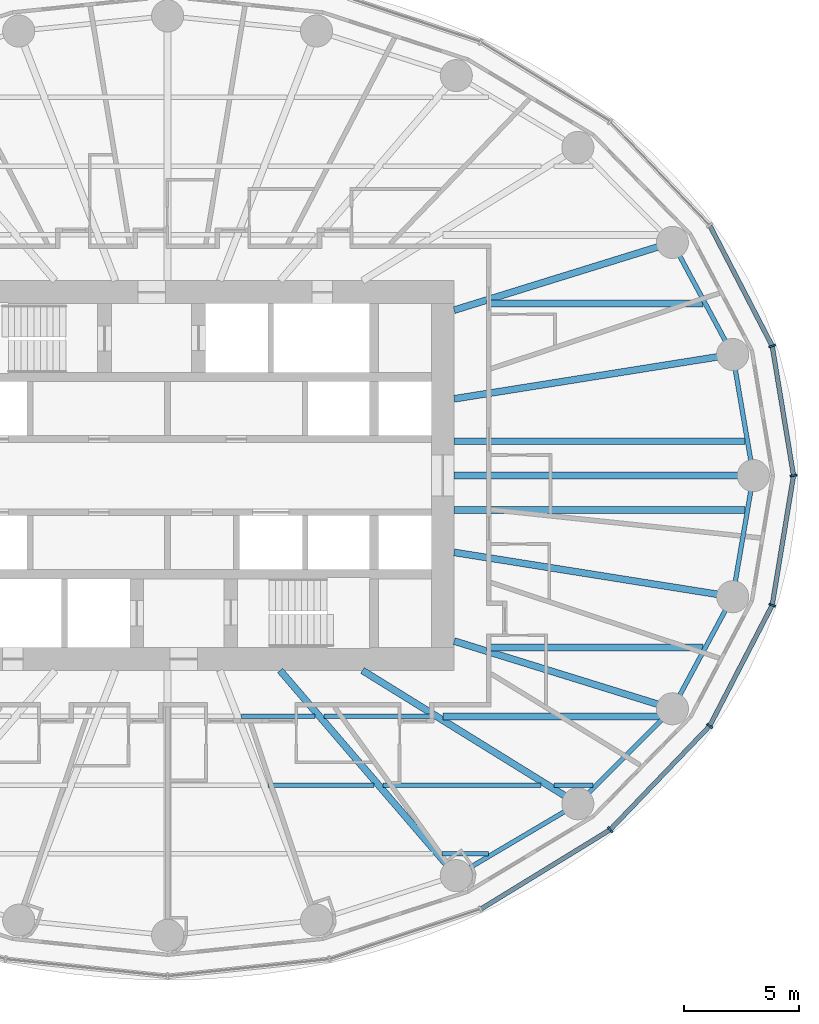
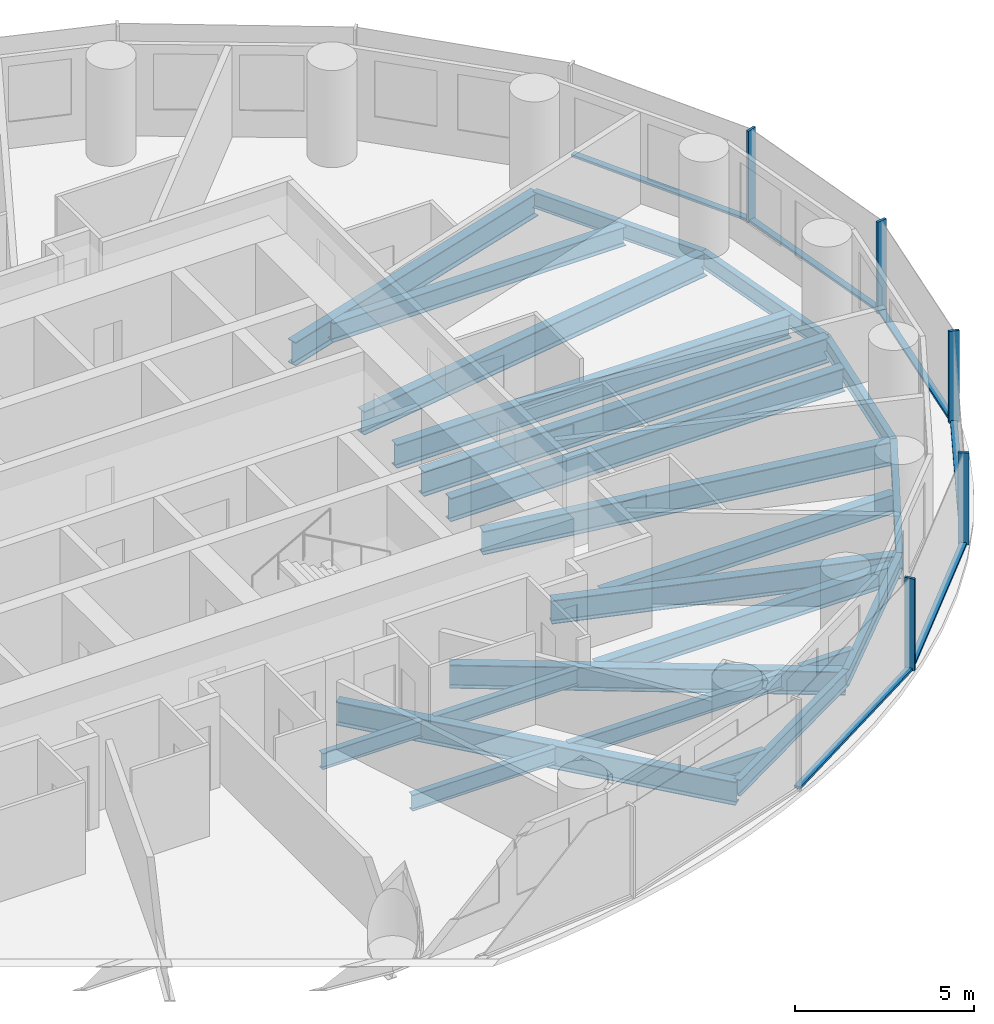
# One storey, part 3 of 14: 24 beams, 11 members, 2 elements without a shape of their own.
"""IFC4 building model written with IfcOpenShell, lengths in metres."""

import ifcopenshell
import ifcopenshell.guid

model = None  # the IFC model being written
_history = None  # IfcOwnerHistory: only IFC2X3 demands one
_inside = {}  # id of a spatial element -> (the spatial element, [elements in it])
_under = {}  # id of a project, library or spatial element -> (it, [spatial elements below it])
_declared = {}  # id of a project -> (the project, [libraries it declares])
_typed = {}  # id of a type object -> (the type object, [elements of that type])
_made_of = {}  # id of a material, layer set ... -> (it, [elements and type objects made of it])


def new_model(schema):
    """Start an empty IFC model of exactly this schema.

    Asked for "IFC4X3", IfcOpenShell would pick the latest addendum, in which some entities
    have other attributes; the version numbers below select the first issue.
    IFC2X3 requires an IfcOwnerHistory on every rooted entity: one is made here for all.
    """
    global model, _history
    if schema == "IFC4X3":
        model = ifcopenshell.file(schema_version=(4, 3, 0, 0))
    else:
        model = ifcopenshell.file(schema=schema)
    _inside.clear()
    _under.clear()
    _declared.clear()
    _typed.clear()
    _made_of.clear()
    _history = None
    if model.schema == "IFC2X3":
        org = make("IfcOrganization", Name="unknown")
        user = make(
            "IfcPersonAndOrganization",
            ThePerson=make("IfcPerson", FamilyName="unknown"),
            TheOrganization=org,
        )
        app = make(
            "IfcApplication",
            ApplicationDeveloper=org,
            Version="unknown",
            ApplicationFullName="unknown",
            ApplicationIdentifier="unknown",
        )
        _history = make(
            "IfcOwnerHistory",
            OwningUser=user,
            OwningApplication=app,
            ChangeAction="ADDED",
            CreationDate=0,
        )
    return model


def make(cls, **values):
    """One entity of the class cls with the attributes given. An attribute that is None is left unset."""
    return model.create_entity(
        cls, **{name: value for name, value in values.items() if value is not None}
    )


def rooted(cls, **values):
    """An entity with a GlobalId (a new one), such as an element, a storey or a relation."""
    return make(cls, GlobalId=ifcopenshell.guid.new(), OwnerHistory=_history, **values)


def si_unit(unit_type, name, prefix=None):
    """IfcSIUnit, for example si_unit("LENGTHUNIT", "METRE", prefix="MILLI")."""
    return make("IfcSIUnit", UnitType=unit_type, Prefix=prefix, Name=name)


def assignment(units):
    """IfcUnitAssignment: the units of a project."""
    return None if units is None else make("IfcUnitAssignment", Units=units)


def point(xyz):
    """IfcCartesianPoint."""
    return None if xyz is None else make("IfcCartesianPoint", Coordinates=xyz)


def direction(xyz):
    """IfcDirection."""
    return None if xyz is None else make("IfcDirection", DirectionRatios=xyz)


def frame(location, z_axis=None, x_axis=None):
    """IfcAxis2Placement3D, a coordinate frame: its origin and axes. An axis left out is left unset."""
    return make(
        "IfcAxis2Placement3D",
        Location=point(location),
        Axis=direction(z_axis),
        RefDirection=direction(x_axis),
    )


def frame_2d(location, x_axis=None):
    """IfcAxis2Placement2D, a coordinate frame in the plane: its origin and x axis."""
    return make(
        "IfcAxis2Placement2D", Location=point(location), RefDirection=direction(x_axis)
    )


def origin():
    """The frame at (0, 0, 0) with its axes left unset."""
    return frame((0.0, 0.0, 0.0))


def origin_2d():
    """The frame at (0, 0) in the plane with its x axis left unset."""
    return frame_2d((0.0, 0.0))


def place(relative_to, where):
    """IfcLocalPlacement: puts the frame where relative to a parent placement (None: the world)."""
    return make(
        "IfcLocalPlacement", PlacementRelTo=relative_to, RelativePlacement=where
    )


def context(
    kind, dimensions, precision=None, world=None, true_north=None, identifier=None
):
    """IfcGeometricRepresentationContext, for example the 3D "Model" context."""
    return make(
        "IfcGeometricRepresentationContext",
        ContextIdentifier=identifier,
        ContextType=kind,
        CoordinateSpaceDimension=dimensions,
        Precision=precision,
        WorldCoordinateSystem=world,
        TrueNorth=true_north,
    )


def subcontext(parent, identifier, kind, view, scale=None):
    """IfcGeometricRepresentationSubContext, for example "Body" below "Model"."""
    return make(
        "IfcGeometricRepresentationSubContext",
        ContextIdentifier=identifier,
        ContextType=kind,
        ParentContext=parent,
        TargetScale=scale,
        TargetView=view,
    )


def project(units=None, contexts=None):
    """IfcProject with its units and contexts."""
    return rooted(
        "IfcProject",
        Name="project",
        RepresentationContexts=contexts,
        UnitsInContext=assignment(units),
    )


def spatial(cls, under=None, at=None, **own):
    """A site, building, storey or space (cls), placed at a placement, below another one or the project."""
    s = rooted(cls, ObjectPlacement=at, **own)
    if under is not None:
        _under.setdefault(under.id(), (under, []))[1].append(s)
    return s


def profile(cls, at=None, kind="AREA", **sizes):
    """A parametric profile (cls). Its sizes go by their IFC names, for example OverallWidth=200.0."""
    return make(cls, ProfileType=kind, Position=at, **sizes)


def rectangle(**sizes):
    """IfcRectangleProfileDef."""
    return profile("IfcRectangleProfileDef", **sizes)


def i_section(**sizes):
    """IfcIShapeProfileDef."""
    return profile("IfcIShapeProfileDef", **sizes)


def extrude(swept, where, along, depth):
    """IfcExtrudedAreaSolid: the profile swept, set in the frame where, extruded along a direction by depth."""
    return make(
        "IfcExtrudedAreaSolid",
        SweptArea=swept,
        Position=where,
        ExtrudedDirection=direction(along),
        Depth=depth,
    )


def shape(context_of_items, identifier, shape_type, items):
    """IfcShapeRepresentation: the items that make up one representation, for example the "Body"."""
    return make(
        "IfcShapeRepresentation",
        ContextOfItems=context_of_items,
        RepresentationIdentifier=identifier,
        RepresentationType=shape_type,
        Items=items,
    )


def material(Name=None, Category=None):
    """IfcMaterial."""
    return make("IfcMaterial", Name=Name, Category=Category)


def material_profile(
    of_material, cross_section, Name=None, Category=None, Priority=None
):
    """IfcMaterialProfile: a cross section and its material."""
    return make(
        "IfcMaterialProfile",
        Name=Name,
        Material=of_material,
        Profile=cross_section,
        Priority=Priority,
        Category=Category,
    )


def profile_set(profiles, Name=None, composite=None):
    """IfcMaterialProfileSet."""
    return make(
        "IfcMaterialProfileSet",
        Name=Name,
        MaterialProfiles=profiles,
        CompositeProfile=composite,
    )


def made_of(thing, what):
    """Note that an element or type object is made of a material, layer set ...; save() writes the relation."""
    if what is not None:
        _made_of.setdefault(what.id(), (what, []))[1].append(thing)
    return thing


def type_object(cls, material=None, **own):
    """A type object (cls), such as IfcWallType, which elements share."""
    return made_of(rooted(cls, **own), material)


def element(
    cls,
    number,
    at=None,
    inside=None,
    cuts=None,
    type_object=None,
    material=None,
    context=None,
    identifier="Body",
    shape_type=None,
    held_by="IfcProductDefinitionShape",
    body=None,
    shapes=None,
    **own,
):
    """One element of the class cls, such as IfcWall. Its Tag is "e" and its number.

    at: its placement. inside: the storey or other place that contains it. cuts: it is an
    opening in that element (IfcRelVoidsElement). A single representation is given by context,
    identifier, shape_type and body (its items); several are given by shapes. held_by: the class
    of the entity that holds the representations. save() writes the other relations.
    """
    e = rooted(cls, Tag="e%d" % number, ObjectPlacement=at, **own)
    if body is not None:
        shapes = [shape(context, identifier, shape_type, body)]
    if shapes is not None:
        e.Representation = make(held_by, Representations=shapes)
    if inside is not None:
        _inside.setdefault(inside.id(), (inside, []))[1].append(e)
    if cuts is not None:
        rooted(
            "IfcRelVoidsElement", RelatingBuildingElement=cuts, RelatedOpeningElement=e
        )
    if type_object is not None:
        _typed.setdefault(type_object.id(), (type_object, []))[1].append(e)
    return made_of(e, material)


def aggregate(whole, parts):
    """IfcRelAggregates: a whole, such as a stair, and the parts it consists of."""
    return rooted("IfcRelAggregates", RelatingObject=whole, RelatedObjects=parts)


def save(model, path):
    """Write the relations noted so far, then the file.

    IfcRelAggregates (storeys below a building ...), IfcRelContainedInSpatialStructure (elements
    in a storey), IfcRelDefinesByType, IfcRelAssociatesMaterial and IfcRelDeclares: one each for
    every whole, place, type object, material and project.
    """
    for whole, parts in _under.values():
        aggregate(whole, parts)
    for where, things in _inside.values():
        rooted(
            "IfcRelContainedInSpatialStructure",
            RelatedElements=things,
            RelatingStructure=where,
        )
    for kind, things in _typed.values():
        rooted("IfcRelDefinesByType", RelatedObjects=things, RelatingType=kind)
    for what, things in _made_of.values():
        rooted("IfcRelAssociatesMaterial", RelatedObjects=things, RelatingMaterial=what)
    for by, libraries in _declared.values():
        rooted("IfcRelDeclares", RelatingContext=by, RelatedDefinitions=libraries)
    model.write(path)


model = new_model("IFC4")

# Units and contexts
model_context = context("Model", 3, precision=1e-05, world=origin(), true_north=direction((0.0, 1.0)))
body_context = subcontext(model_context, "Body", "Model", "MODEL_VIEW")
ifc_project = project(units=[si_unit("LENGTHUNIT", "METRE"), si_unit("AREAUNIT", "SQUARE_METRE"), si_unit("VOLUMEUNIT", "CUBIC_METRE"), si_unit("PLANEANGLEUNIT", "RADIAN"), si_unit("MASSUNIT", "GRAM", prefix="KILO")], contexts=[model_context])

# Site, building, storey
site_placement = place(None, origin())
site = spatial("IfcSite", under=ifc_project, at=site_placement, CompositionType="ELEMENT")
building_placement = place(site_placement, origin())
building = spatial("IfcBuilding", under=site, at=building_placement, Name="Hankou Lantern Tower", CompositionType="ELEMENT")
storey_placement = place(building_placement, frame((0.0, 0.0, 57.300048828125)))
storey = spatial("IfcBuildingStorey", under=building, at=storey_placement, Name="L13", CompositionType="ELEMENT", Elevation=57.300048828125)

# Beams
ifc_material_1 = material(Name="Steel Q355B", Category="steel")
ifc_material_profile_1 = material_profile(ifc_material_1, i_section(OverallWidth=0.199951171875, OverallDepth=0.550048828125, WebThickness=0.010009765625, FlangeThickness=0.01611328125, FilletRadius=0.012939453125, at=origin_2d()), Name="HN550x200x10x16")
ifc_profile_set_1 = profile_set([ifc_material_profile_1], Name="Steel Q355B")
beam_type_1 = type_object("IfcBeamType", Name="EB6 RING BEAM HN550x200x10x16", PredefinedType="SPANDREL", material=ifc_profile_set_1)
beam_1_placement = place(storey_placement, frame((25.550048828125, 0.0, -0.455078125), z_axis=(-0.168489691988, 0.985703415685, 0.0), x_axis=(-0.985703415685, -0.168489691988, 0.0)))
element("IfcBeam", 1, at=beam_1_placement, inside=storey, type_object=beam_type_1, Name="Ring beam R01-R02 L13", PredefinedType="SPANDREL", context=body_context, shape_type="SweptSolid", body=[
    extrude(i_section(OverallWidth=0.199951171875, OverallDepth=0.550048828125, WebThickness=0.010009765625, FlangeThickness=0.01611328125, FilletRadius=0.012939453125, at=origin_2d()), origin(), (0.0, 0.0, 1.0), 5.35986328125),
])
beam_2_placement = place(storey_placement, frame((24.64697265625, 5.283203125, -0.455078125), z_axis=(-0.473609096023, 0.880735161194, 0.0), x_axis=(-0.880735161194, -0.473609096023, 0.0)))
element("IfcBeam", 2, at=beam_2_placement, inside=storey, type_object=beam_type_1, Name="Ring beam R02-R03 L13", PredefinedType="SPANDREL", context=body_context, shape_type="SweptSolid", body=[
    extrude(i_section(OverallWidth=0.199951171875, OverallDepth=0.550048828125, WebThickness=0.010009765625, FlangeThickness=0.01611328125, FilletRadius=0.012939453125, at=origin_2d()), origin(), (0.0, 0.0, 1.0), 5.548828125),
])
beam_3_placement = place(storey_placement, frame((12.5908203125, -17.446533203125, -0.455078125), z_axis=(0.860881533543, 0.508805449268, 0.0), x_axis=(-0.508805449268, 0.860881533543, 0.0)))
element("IfcBeam", 3, at=beam_3_placement, inside=storey, type_object=beam_type_1, Name="Ring beam R21-R22 L13", PredefinedType="SPANDREL", context=body_context, shape_type="SweptSolid", body=[
    extrude(i_section(OverallWidth=0.199951171875, OverallDepth=0.550048828125, WebThickness=0.010009765625, FlangeThickness=0.01611328125, FilletRadius=0.012939453125, at=origin_2d()), origin(), (0.0, 0.0, 1.0), 6.15771484375),
])
beam_4_placement = place(storey_placement, frame((17.891845703125, -14.3134765625, -0.455078125), z_axis=(0.705727798394, 0.708483079949, 0.0), x_axis=(-0.708483079949, 0.705727798394, 0.0)))
element("IfcBeam", 4, at=beam_4_placement, inside=storey, type_object=beam_type_1, Name="Ring beam R22-R23 L13", PredefinedType="SPANDREL", context=body_context, shape_type="SweptSolid", body=[
    extrude(i_section(OverallWidth=0.199951171875, OverallDepth=0.550048828125, WebThickness=0.010009765625, FlangeThickness=0.01611328125, FilletRadius=0.012939453125, at=origin_2d()), origin(), (0.0, 0.0, 1.0), 5.84814453125),
])
beam_5_placement = place(storey_placement, frame((22.01904296875, -10.170166015625, -0.455078125), z_axis=(0.473609096023, 0.880735161194, 0.0), x_axis=(-0.880735161194, 0.473609096023, 0.0)))
element("IfcBeam", 5, at=beam_5_placement, inside=storey, type_object=beam_type_1, Name="Ring beam R23-R24 L13", PredefinedType="SPANDREL", context=body_context, shape_type="SweptSolid", body=[
    extrude(i_section(OverallWidth=0.199951171875, OverallDepth=0.550048828125, WebThickness=0.010009765625, FlangeThickness=0.01611328125, FilletRadius=0.012939453125, at=origin_2d()), origin(), (0.0, 0.0, 1.0), 5.548828125),
])
beam_6_placement = place(storey_placement, frame((24.64697265625, -5.283203125, -0.455078125), z_axis=(0.168489691988, 0.985703415685, 0.0), x_axis=(-0.985703415685, 0.168489691988, 0.0)))
element("IfcBeam", 6, at=beam_6_placement, inside=storey, type_object=beam_type_1, Name="Ring beam R24-R01 L13", PredefinedType="SPANDREL", context=body_context, shape_type="SweptSolid", body=[
    extrude(i_section(OverallWidth=0.199951171875, OverallDepth=0.550048828125, WebThickness=0.010009765625, FlangeThickness=0.01611328125, FilletRadius=0.012939453125, at=origin_2d()), origin(), (0.0, 0.0, 1.0), 5.35986328125),
])

# Curtain wall, members
ifc_material_2 = material(Name="Glass, dark grey tinted laminated", Category="glass")
curtain_wall_type = type_object("IfcCurtainWallType", Name="CWA OUTER SKIN LOW-RISE", PredefinedType="USERDEFINED", material=ifc_material_2)
curtain_wall_1_placement = place(storey_placement, origin())
curtain_wall_1 = element("IfcCurtainWall", 7, at=curtain_wall_1_placement, inside=storey, type_object=curtain_wall_type, Name="CWA L13 OS1", ObjectType="OUTER SKIN LOW-RISE", PredefinedType="USERDEFINED")
ifc_material_3 = material(Name="Aluminium, black anodised", Category="aluminium")
ifc_material_profile_2 = material_profile(ifc_material_3, rectangle(XDim=0.080078125, YDim=0.300048828125, at=origin_2d()), Name="MU1 80X300")
ifc_profile_set_2 = profile_set([ifc_material_profile_2], Name="Aluminium, black anodised")
member_type_1 = type_object("IfcMemberType", Name="MU1 OUTER SKIN MULLION 80X300", PredefinedType="MULLION", material=ifc_profile_set_2)
member_1_placement = place(storey_placement, frame((27.300048828125, 0.0, 0.0), z_axis=(0.0, 0.0, 1.0), x_axis=(-0.162381515188, 0.986728049427, 0.0)))
member_1 = element("IfcMember", 8, at=member_1_placement, type_object=member_type_1, Name="CWA mullion 1", PredefinedType="MULLION", context=body_context, shape_type="SweptSolid", body=[
    extrude(rectangle(XDim=0.080078125, YDim=0.300048828125, at=origin_2d()), origin(), (0.0, 0.0, 1.0), 3.119873046875),
])
member_2_placement = place(storey_placement, frame((26.369873046875, 5.652587890625, 0.0), z_axis=(0.0, 0.0, 1.0), x_axis=(-0.317595577365, 0.94822626479, 0.0)))
member_2 = element("IfcMember", 9, at=member_2_placement, type_object=member_type_1, Name="CWA mullion 2", PredefinedType="MULLION", context=body_context, shape_type="SweptSolid", body=[
    extrude(rectangle(XDim=0.080078125, YDim=0.300048828125, at=origin_2d()), origin(), (0.0, 0.0, 1.0), 3.119873046875),
])

curtain_wall_2_placement = place(storey_placement, origin())
curtain_wall_2 = element("IfcCurtainWall", 10, at=curtain_wall_2_placement, inside=storey, type_object=curtain_wall_type, Name="CWA L13 OS4", ObjectType="OUTER SKIN LOW-RISE", PredefinedType="USERDEFINED")
member_3_placement = place(storey_placement, frame((19.303955078125, -15.443115234375, 0.0), z_axis=(0.0, 0.0, 1.0), x_axis=(0.780868809444, 0.624695047553, 0.0)))
member_3 = element("IfcMember", 11, at=member_3_placement, type_object=member_type_1, Name="CWA mullion 4", PredefinedType="MULLION", context=body_context, shape_type="SweptSolid", body=[
    extrude(rectangle(XDim=0.080078125, YDim=0.300048828125, at=origin_2d()), origin(), (0.0, 0.0, 1.0), 3.119873046875),
])
member_4_placement = place(storey_placement, frame((23.642578125, -10.919921875, 0.0), z_axis=(0.0, 0.0, 1.0), x_axis=(0.585205735974, 0.810884854084, 0.0)))
member_4 = element("IfcMember", 12, at=member_4_placement, type_object=member_type_1, Name="CWA mullion 5", PredefinedType="MULLION", context=body_context, shape_type="SweptSolid", body=[
    extrude(rectangle(XDim=0.080078125, YDim=0.300048828125, at=origin_2d()), origin(), (0.0, 0.0, 1.0), 3.119873046875),
])
member_5_placement = place(storey_placement, frame((26.369873046875, -5.652587890625, 0.0), z_axis=(0.0, 0.0, 1.0), x_axis=(0.317595577365, 0.94822626479, 0.0)))
member_5 = element("IfcMember", 13, at=member_5_placement, type_object=member_type_1, Name="CWA mullion 6", PredefinedType="MULLION", context=body_context, shape_type="SweptSolid", body=[
    extrude(rectangle(XDim=0.080078125, YDim=0.300048828125, at=origin_2d()), origin(), (0.0, 0.0, 1.0), 3.119873046875),
])

# Beams
ifc_material_4 = material(Name="Steel Q355B", Category="steel")
ifc_material_profile_3 = material_profile(ifc_material_4, i_section(OverallWidth=0.300048828125, OverallDepth=0.800048828125, WebThickness=0.013916015625, FlangeThickness=0.02587890625, FilletRadius=0.01806640625, at=origin_2d()), Name="HN800x300x14x26")
ifc_profile_set_3 = profile_set([ifc_material_profile_3], Name="Steel Q355B")
beam_type_2 = type_object("IfcBeamType", Name="RB11 RADIAL BEAM HN800x300x14x26", PredefinedType="BEAM", material=ifc_profile_set_3)
beam_7_placement = place(storey_placement, frame((12.5, 3.349365234375, -0.580078125), z_axis=(0.987563081343, 0.157223281893, 0.0), x_axis=(-0.157223281893, 0.987563081343, 0.0)))
element("IfcBeam", 14, at=beam_7_placement, inside=storey, type_object=beam_type_2, Name="Radial beam R02 L13", PredefinedType="BEAM", context=body_context, shape_type="SweptSolid", body=[
    extrude(i_section(OverallWidth=0.300048828125, OverallDepth=0.800048828125, WebThickness=0.013916015625, FlangeThickness=0.02587890625, FilletRadius=0.01806640625, at=origin_2d()), origin(), (0.0, 0.0, 1.0), 12.300048828125),
])
beam_8_placement = place(storey_placement, frame((12.5, 7.216796875, -0.580078125), z_axis=(0.955087327755, 0.29632447817, 0.0), x_axis=(-0.29632447817, 0.955087327755, 0.0)))
element("IfcBeam", 15, at=beam_8_placement, inside=storey, type_object=beam_type_2, Name="Radial beam R03 L13", PredefinedType="BEAM", context=body_context, shape_type="SweptSolid", body=[
    extrude(i_section(OverallWidth=0.300048828125, OverallDepth=0.800048828125, WebThickness=0.013916015625, FlangeThickness=0.02587890625, FilletRadius=0.01806640625, at=origin_2d()), origin(), (0.0, 0.0, 1.0), 9.966552734375),
])
beam_9_placement = place(storey_placement, frame((4.907470703125, -8.5, -0.580078125), z_axis=(0.651519061225, -0.758632264579, 0.0), x_axis=(0.758632264579, 0.651519061225, 0.0)))
element("IfcBeam", 16, at=beam_9_placement, inside=storey, type_object=beam_type_2, Name="Radial beam R21 L13", PredefinedType="BEAM", context=body_context, shape_type="SweptSolid", body=[
    extrude(i_section(OverallWidth=0.300048828125, OverallDepth=0.800048828125, WebThickness=0.013916015625, FlangeThickness=0.02587890625, FilletRadius=0.01806640625, at=origin_2d()), origin(), (0.0, 0.0, 1.0), 11.79296875),
])
beam_10_placement = place(storey_placement, frame((8.5, -8.5, -0.580078125), z_axis=(0.850286343288, -0.526320372414, 0.0), x_axis=(0.526320372414, 0.850286343288, 0.0)))
element("IfcBeam", 17, at=beam_10_placement, inside=storey, type_object=beam_type_2, Name="Radial beam R22 L13", PredefinedType="BEAM", context=body_context, shape_type="SweptSolid", body=[
    extrude(i_section(OverallWidth=0.300048828125, OverallDepth=0.800048828125, WebThickness=0.013916015625, FlangeThickness=0.02587890625, FilletRadius=0.01806640625, at=origin_2d()), origin(), (0.0, 0.0, 1.0), 11.04541015625),
])
beam_11_placement = place(storey_placement, frame((12.5, -7.216796875, -0.580078125), z_axis=(0.955087327755, -0.29632447817, 0.0), x_axis=(0.29632447817, 0.955087327755, 0.0)))
element("IfcBeam", 18, at=beam_11_placement, inside=storey, type_object=beam_type_2, Name="Radial beam R23 L13", PredefinedType="BEAM", context=body_context, shape_type="SweptSolid", body=[
    extrude(i_section(OverallWidth=0.300048828125, OverallDepth=0.800048828125, WebThickness=0.013916015625, FlangeThickness=0.02587890625, FilletRadius=0.01806640625, at=origin_2d()), origin(), (0.0, 0.0, 1.0), 9.966552734375),
])
beam_12_placement = place(storey_placement, frame((12.5, -3.349365234375, -0.580078125), z_axis=(0.987563081343, -0.157223281893, 0.0), x_axis=(0.157223281893, 0.987563081343, 0.0)))
element("IfcBeam", 19, at=beam_12_placement, inside=storey, type_object=beam_type_2, Name="Radial beam R24 L13", PredefinedType="BEAM", context=body_context, shape_type="SweptSolid", body=[
    extrude(i_section(OverallWidth=0.300048828125, OverallDepth=0.800048828125, WebThickness=0.013916015625, FlangeThickness=0.02587890625, FilletRadius=0.01806640625, at=origin_2d()), origin(), (0.0, 0.0, 1.0), 12.300048828125),
])
ifc_material_5 = material(Name="Steel Q355B", Category="steel")
ifc_material_profile_4 = material_profile(ifc_material_5, i_section(OverallWidth=0.300048828125, OverallDepth=0.85009765625, WebThickness=0.01611328125, FlangeThickness=0.027099609375, FilletRadius=0.01806640625, at=origin_2d()), Name="HN850x300x16x27")
ifc_profile_set_4 = profile_set([ifc_material_profile_4], Name="Steel Q355B")
beam_type_3 = type_object("IfcBeamType", Name="RB12 RADIAL BEAM HN850x300x16x27", PredefinedType="BEAM", material=ifc_profile_set_4)
beam_13_placement = place(storey_placement, frame((12.5, 0.0, -0.60498046875), z_axis=(1.0, 0.0, 0.0), x_axis=(0.0, 1.0, 0.0)))
element("IfcBeam", 20, at=beam_13_placement, inside=storey, type_object=beam_type_3, Name="Radial beam R01 L13", PredefinedType="BEAM", context=body_context, shape_type="SweptSolid", body=[
    extrude(i_section(OverallWidth=0.300048828125, OverallDepth=0.85009765625, WebThickness=0.01611328125, FlangeThickness=0.027099609375, FilletRadius=0.01806640625, at=origin_2d()), origin(), (0.0, 0.0, 1.0), 13.050048828125),
])
ifc_material_6 = material(Name="Steel Q355B", Category="steel")
ifc_material_profile_5 = material_profile(ifc_material_6, i_section(OverallWidth=0.300048828125, OverallDepth=0.800048828125, WebThickness=0.013916015625, FlangeThickness=0.02587890625, FilletRadius=0.01806640625, at=origin_2d()), Name="HN800x300x14x26")
ifc_profile_set_5 = profile_set([ifc_material_profile_5], Name="Steel Q355B")
beam_type_4 = type_object("IfcBeamType", Name="SB11 SECONDARY BEAM HN800x300x14x26", PredefinedType="JOIST", material=ifc_profile_set_5)
for number, where, z_axis, x_axis, name in (
    (21, (12.5, -1.5, -0.580078125), (1.0, 0.0, 0.0), (0.0, 1.0, 0.0), "Floor joist J030 L13"),
    (22, (12.5, 1.5, -0.580078125), (1.0, 0.0, 0.0), (0.0, 1.0, 0.0), "Floor joist J032 L13"),
):
    element("IfcBeam", number, at=place(storey_placement, frame(where, z_axis=z_axis, x_axis=x_axis)), inside=storey, type_object=beam_type_4, Name=name, PredefinedType="JOIST", context=body_context, shape_type="SweptSolid", body=[
        extrude(i_section(OverallWidth=0.300048828125, OverallDepth=0.800048828125, WebThickness=0.013916015625, FlangeThickness=0.02587890625, FilletRadius=0.01806640625, at=origin_2d()), origin(), (0.0, 0.0, 1.0), 12.692138671875),
    ])
ifc_material_7 = material(Name="Steel Q355B", Category="steel")
ifc_material_profile_6 = material_profile(ifc_material_7, i_section(OverallWidth=0.199951171875, OverallDepth=0.550048828125, WebThickness=0.010009765625, FlangeThickness=0.01611328125, FilletRadius=0.012939453125, at=origin_2d()), Name="HN550x200x10x16")
ifc_profile_set_6 = profile_set([ifc_material_profile_6], Name="Steel Q355B")
beam_type_5 = type_object("IfcBeamType", Name="SB6 SECONDARY BEAM HN550x200x10x16", PredefinedType="JOIST", material=ifc_profile_set_6)
beam_14_placement = place(storey_placement, frame((11.975830078125, -16.5, -0.455078125), z_axis=(1.0, 0.0, 0.0), x_axis=(0.0, 1.0, 0.0)))
element("IfcBeam", 23, at=beam_14_placement, inside=storey, type_object=beam_type_5, Name="Floor joist J006 L13", PredefinedType="JOIST", context=body_context, shape_type="SweptSolid", body=[
    extrude(i_section(OverallWidth=0.199951171875, OverallDepth=0.550048828125, WebThickness=0.010009765625, FlangeThickness=0.01611328125, FilletRadius=0.012939453125, at=origin_2d()), origin(), (0.0, 0.0, 1.0), 2.019775390625),
])
beam_15_placement = place(storey_placement, frame((4.37451171875, -13.5, -0.455078125), z_axis=(1.0, 0.0, 0.0), x_axis=(0.0, 1.0, 0.0)))
element("IfcBeam", 24, at=beam_15_placement, inside=storey, type_object=beam_type_5, Name="Floor joist J012 L13", PredefinedType="JOIST", context=body_context, shape_type="SweptSolid", body=[
    extrude(i_section(OverallWidth=0.199951171875, OverallDepth=0.550048828125, WebThickness=0.010009765625, FlangeThickness=0.01611328125, FilletRadius=0.012939453125, at=origin_2d()), origin(), (0.0, 0.0, 1.0), 4.62939453125),
])
beam_16_placement = place(storey_placement, frame((9.3994140625, -13.5, -0.455078125), z_axis=(1.0, 0.0, 0.0), x_axis=(0.0, 1.0, 0.0)))
element("IfcBeam", 25, at=beam_16_placement, inside=storey, type_object=beam_type_5, Name="Floor joist J013 L13", PredefinedType="JOIST", context=body_context, shape_type="SweptSolid", body=[
    extrude(i_section(OverallWidth=0.199951171875, OverallDepth=0.550048828125, WebThickness=0.010009765625, FlangeThickness=0.01611328125, FilletRadius=0.012939453125, at=origin_2d()), origin(), (0.0, 0.0, 1.0), 6.893310546875),
])
beam_17_placement = place(storey_placement, frame((16.86279296875, -13.5, -0.455078125), z_axis=(1.0, 0.0, 0.0), x_axis=(0.0, 1.0, 0.0)))
element("IfcBeam", 26, at=beam_17_placement, inside=storey, type_object=beam_type_5, Name="Floor joist J014 L13", PredefinedType="JOIST", context=body_context, shape_type="SweptSolid", body=[
    extrude(i_section(OverallWidth=0.199951171875, OverallDepth=0.550048828125, WebThickness=0.010009765625, FlangeThickness=0.01611328125, FilletRadius=0.012939453125, at=origin_2d()), origin(), (0.0, 0.0, 1.0), 1.697998046875),
])
beam_18_placement = place(storey_placement, frame((3.212890625, -10.5, -0.455078125), z_axis=(1.0, 0.0, 0.0), x_axis=(0.0, 1.0, 0.0)))
element("IfcBeam", 27, at=beam_18_placement, inside=storey, type_object=beam_type_5, Name="Floor joist J020 L13", PredefinedType="JOIST", context=body_context, shape_type="SweptSolid", body=[
    extrude(i_section(OverallWidth=0.199951171875, OverallDepth=0.550048828125, WebThickness=0.010009765625, FlangeThickness=0.01611328125, FilletRadius=0.012939453125, at=origin_2d()), origin(), (0.0, 0.0, 1.0), 3.214599609375),
])
beam_19_placement = place(storey_placement, frame((6.82275390625, -10.5, -0.455078125), z_axis=(1.0, 0.0, 0.0), x_axis=(0.0, 1.0, 0.0)))
element("IfcBeam", 28, at=beam_19_placement, inside=storey, type_object=beam_type_5, Name="Floor joist J021 L13", PredefinedType="JOIST", context=body_context, shape_type="SweptSolid", body=[
    extrude(i_section(OverallWidth=0.199951171875, OverallDepth=0.550048828125, WebThickness=0.010009765625, FlangeThickness=0.01611328125, FilletRadius=0.012939453125, at=origin_2d()), origin(), (0.0, 0.0, 1.0), 4.623291015625),
])
ifc_material_8 = material(Name="Steel Q355B", Category="steel")
ifc_material_profile_7 = material_profile(ifc_material_8, i_section(OverallWidth=0.300048828125, OverallDepth=0.64990234375, WebThickness=0.010986328125, FlangeThickness=0.01708984375, FilletRadius=0.01806640625, at=origin_2d()), Name="HN650x300x11x17")
ifc_profile_set_7 = profile_set([ifc_material_profile_7], Name="Steel Q355B")
beam_type_6 = type_object("IfcBeamType", Name="SB8 SECONDARY BEAM HN650x300x11x17", PredefinedType="JOIST", material=ifc_profile_set_7)
beam_20_placement = place(storey_placement, frame((12.01611328125, -10.5, -0.505126953125), z_axis=(1.0, 0.0, 0.0), x_axis=(0.0, 1.0, 0.0)))
element("IfcBeam", 29, at=beam_20_placement, inside=storey, type_object=beam_type_6, Name="Floor joist J022 L13", PredefinedType="JOIST", context=body_context, shape_type="SweptSolid", body=[
    extrude(i_section(OverallWidth=0.300048828125, OverallDepth=0.64990234375, WebThickness=0.010986328125, FlangeThickness=0.01708984375, FilletRadius=0.01806640625, at=origin_2d()), origin(), (0.0, 0.0, 1.0), 9.533203125),
])
for number, where, z_axis, x_axis, name in (
    (30, (13.918701171875, -7.5, -0.505126953125), (1.0, 0.0, 0.0), (0.0, 1.0, 0.0), "Floor joist J024 L13"),
    (31, (13.918701171875, 7.5, -0.505126953125), (1.0, 0.0, 0.0), (0.0, 1.0, 0.0), "Floor joist J038 L13"),
):
    element("IfcBeam", number, at=place(storey_placement, frame(where, z_axis=z_axis, x_axis=x_axis)), inside=storey, type_object=beam_type_6, Name=name, PredefinedType="JOIST", context=body_context, shape_type="SweptSolid", body=[
        extrude(i_section(OverallWidth=0.300048828125, OverallDepth=0.64990234375, WebThickness=0.010986328125, FlangeThickness=0.01708984375, FilletRadius=0.01806640625, at=origin_2d()), origin(), (0.0, 0.0, 1.0), 9.4228515625),
    ])

# Member
ifc_material_9 = material(Name="Aluminium, black anodised", Category="aluminium")
ifc_material_profile_8 = material_profile(ifc_material_9, rectangle(XDim=0.199951171875, YDim=0.080078125, at=origin_2d()), Name="TR1 200X80")
ifc_profile_set_8 = profile_set([ifc_material_profile_8], Name="Aluminium, black anodised")
member_type_2 = type_object("IfcMemberType", Name="TR1 OUTER SKIN TRANSOM 200X80", PredefinedType="USERDEFINED", material=ifc_profile_set_8)
member_6_placement = place(storey_placement, frame((27.29345703125, 0.03955078125, 0.0400390625), z_axis=(-0.162387045529, 0.986727139307, 0.0), x_axis=(-0.986727139307, -0.162387045529, 0.0)))
member_6 = element("IfcMember", 32, at=member_6_placement, type_object=member_type_2, Name="CWA transom 1", ObjectType="TRANSOM", PredefinedType="USERDEFINED", context=body_context, shape_type="SweptSolid", body=[
    extrude(rectangle(XDim=0.199951171875, YDim=0.080078125, at=origin_2d()), origin(), (0.0, 0.0, 1.0), 5.6484375),
])

member_7_placement = place(storey_placement, frame((26.351318359375, 5.688232421875, 0.0400390625), z_axis=(-0.459786096495, 0.888029698529, 0.0), x_axis=(-0.888029698529, -0.459786096495, 0.0)))
member_7 = element("IfcMember", 33, at=member_7_placement, type_object=member_type_2, Name="CWA transom 2", ObjectType="TRANSOM", PredefinedType="USERDEFINED", context=body_context, shape_type="SweptSolid", body=[
    extrude(rectangle(XDim=0.199951171875, YDim=0.080078125, at=origin_2d()), origin(), (0.0, 0.0, 1.0), 5.8515625),
])

aggregate(curtain_wall_1, [member_1, member_2, member_6, member_7])

member_8_placement = place(storey_placement, frame((13.68408203125, -18.89306640625, 0.0400390625), z_axis=(0.85223969557, 0.523151508929, 0.0), x_axis=(-0.523151508929, 0.85223969557, 0.0)))
member_8 = element("IfcMember", 34, at=member_8_placement, type_object=member_type_2, Name="CWA transom 3", ObjectType="TRANSOM", PredefinedType="USERDEFINED", context=body_context, shape_type="SweptSolid", body=[
    extrude(rectangle(XDim=0.199951171875, YDim=0.080078125, at=origin_2d()), origin(), (0.0, 0.0, 1.0), 6.554443359375),
])

member_9_placement = place(storey_placement, frame((19.331787109375, -15.414306640625, 0.0400390625), z_axis=(0.692215537374, 0.721690827029, 0.0), x_axis=(-0.721690827029, 0.692215537374, 0.0)))
member_9 = element("IfcMember", 35, at=member_9_placement, type_object=member_type_2, Name="CWA transom 4", ObjectType="TRANSOM", PredefinedType="USERDEFINED", context=body_context, shape_type="SweptSolid", body=[
    extrude(rectangle(XDim=0.199951171875, YDim=0.080078125, at=origin_2d()), origin(), (0.0, 0.0, 1.0), 6.187255859375),
])

member_10_placement = place(storey_placement, frame((23.660888671875, -10.884521484375, 0.0400390625), z_axis=(0.459786096495, 0.888029698529, 0.0), x_axis=(-0.888029698529, 0.459786096495, 0.0)))
member_10 = element("IfcMember", 36, at=member_10_placement, type_object=member_type_2, Name="CWA transom 5", ObjectType="TRANSOM", PredefinedType="USERDEFINED", context=body_context, shape_type="SweptSolid", body=[
    extrude(rectangle(XDim=0.199951171875, YDim=0.080078125, at=origin_2d()), origin(), (0.0, 0.0, 1.0), 5.8515625),
])

member_11_placement = place(storey_placement, frame((26.376220703125, -5.613037109375, 0.0400390625), z_axis=(0.162387045529, 0.986727139307, 0.0), x_axis=(-0.986727139307, 0.162387045529, 0.0)))
member_11 = element("IfcMember", 37, at=member_11_placement, type_object=member_type_2, Name="CWA transom 6", ObjectType="TRANSOM", PredefinedType="USERDEFINED", context=body_context, shape_type="SweptSolid", body=[
    extrude(rectangle(XDim=0.199951171875, YDim=0.080078125, at=origin_2d()), origin(), (0.0, 0.0, 1.0), 5.6484375),
])

aggregate(curtain_wall_2, [member_3, member_4, member_5, member_8, member_9, member_10, member_11])

save(model, "model.ifc")
